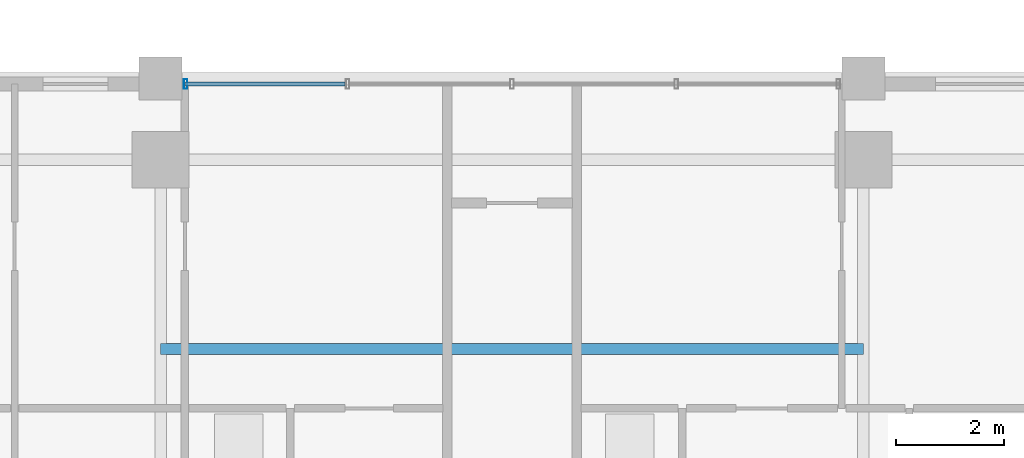
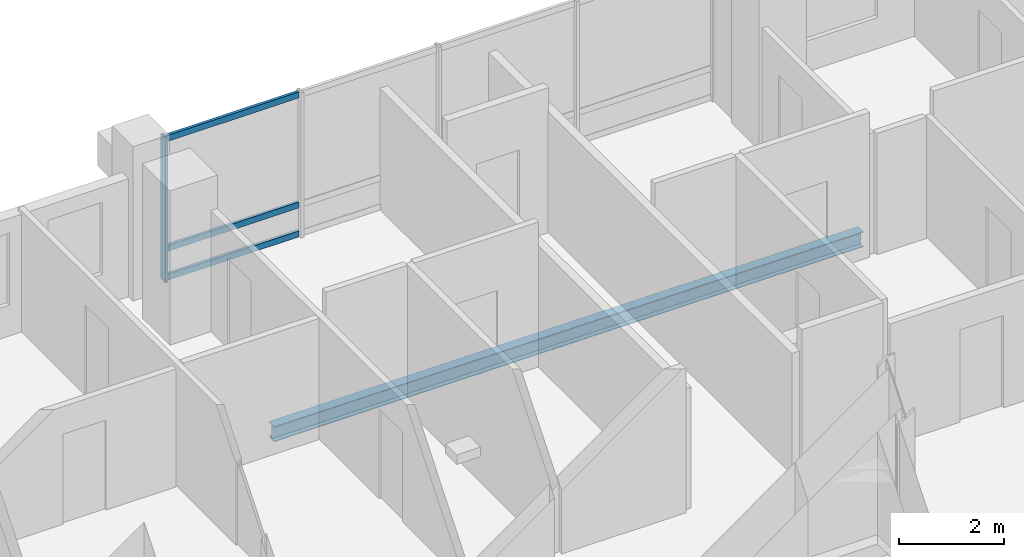
# One storey, part 13 of 24: 4 members, 1 beam, 1 element without a shape of its own.
"""IFC4 building model written with IfcOpenShell, lengths in metres."""

from ifc_helpers import new_model, si_unit, direction, frame, origin, origin_2d, place, context, subcontext, project, spatial, hollow_rectangle, i_section, extrude, material, layer, layer_set, material_profile, profile_set, type_object, element, aggregate, save


model = new_model("IFC4")

# Units and contexts
model_context = context("Model", 3, precision=1e-05, world=origin(), true_north=direction((0.0, 1.0)))
body_context = subcontext(model_context, "Body", "Model", "MODEL_VIEW")
ifc_project = project(units=[si_unit("LENGTHUNIT", "METRE"), si_unit("AREAUNIT", "SQUARE_METRE"), si_unit("VOLUMEUNIT", "CUBIC_METRE"), si_unit("PLANEANGLEUNIT", "RADIAN"), si_unit("MASSUNIT", "GRAM", prefix="KILO")], contexts=[model_context])

# Site, building, storey
site_placement = place(None, origin())
site = spatial("IfcSite", under=ifc_project, at=site_placement, CompositionType="ELEMENT")
building_placement = place(site_placement, origin())
building = spatial("IfcBuilding", under=site, at=building_placement, Name="Barlavira Tower and Art Museum", CompositionType="ELEMENT")
storey_placement = place(building_placement, frame((0.0, 0.0, 201.60009765625)))
storey = spatial("IfcBuildingStorey", under=building, at=storey_placement, Name="L52", CompositionType="ELEMENT", Elevation=201.60009765625)

# Curtain wall, members
ifc_material_1 = material(Name="Low-iron coastal laminated glass", Category="glass")
ifc_layer = layer(ifc_material_1, 0.199951171875, Name="Low-iron coastal laminated glass")
ifc_layer_set = layer_set([ifc_layer], Name="Low-iron coastal laminated glass")
curtain_wall_type = type_object("IfcCurtainWallType", Name="Pale-Metal Unitised Curtain Wall Zone 3", PredefinedType="NOTDEFINED", material=ifc_layer_set)
curtain_wall_placement = place(storey_placement, origin())
curtain_wall = element("IfcCurtainWall", 1, at=curtain_wall_placement, inside=storey, type_object=curtain_wall_type, Name="L52 Curtain Wall CW3-L52-N-B3", PredefinedType="NOTDEFINED")
ifc_material_2 = material(Name="Pale anodised aluminium", Category="aluminium")
ifc_material_profile_1 = material_profile(ifc_material_2, hollow_rectangle(XDim=0.06494140625, YDim=0.179931640625, WallThickness=0.00390625, at=origin_2d()), Name="ALU-MULL 65x180x4")
ifc_profile_set_1 = profile_set([ifc_material_profile_1], Name="Pale anodised aluminium")
member_type_1 = type_object("IfcMemberType", Name="Curtain Wall Pale-Metal Mullion 65x180", PredefinedType="MULLION", material=ifc_profile_set_1)
member_1_placement = place(storey_placement, frame((-6.034912109375, 21.39990234375, 0.0), z_axis=(0.0, 0.0, 1.0), x_axis=(-1.0, 0.0, 0.0)))
member_1 = element("IfcMember", 2, at=member_1_placement, type_object=member_type_1, Name="CW3-L52-N-B3 Mullion 4", PredefinedType="MULLION", context=body_context, shape_type="SweptSolid", body=[
    extrude(hollow_rectangle(XDim=0.06494140625, YDim=0.179931640625, WallThickness=0.00390625, at=origin_2d()), origin(), (0.0, 0.0, 1.0), 3.3798828125),
])
ifc_material_profile_2 = material_profile(ifc_material_2, hollow_rectangle(XDim=0.06494140625, YDim=0.139892578125, WallThickness=0.00390625, at=origin_2d()), Name="ALU-TRAN 65x140x4")
ifc_profile_set_2 = profile_set([ifc_material_profile_2], Name="Pale anodised aluminium")
member_type_2 = type_object("IfcMemberType", Name="Curtain Wall Pale-Metal Transom 65x140", PredefinedType="USERDEFINED", material=ifc_profile_set_2)
member_2_placement = place(storey_placement, frame((-3.0849609375, 21.39990234375, 0.06982421875), z_axis=(-1.0, 0.0, 0.0), x_axis=(0.0, -1.0, 0.0)))
member_2 = element("IfcMember", 3, at=member_2_placement, type_object=member_type_2, Name="CW3-L52-N-B3 Transom 3.1", ObjectType="TRANSOM", PredefinedType="USERDEFINED", context=body_context, shape_type="SweptSolid", body=[
    extrude(hollow_rectangle(XDim=0.06494140625, YDim=0.139892578125, WallThickness=0.00390625, at=origin_2d()), origin(), (0.0, 0.0, 1.0), 2.949951171875),
])
member_3_placement = place(storey_placement, frame((-3.0849609375, 21.39990234375, 0.743896484375), z_axis=(-1.0, 0.0, 0.0), x_axis=(0.0, -1.0, 0.0)))
member_3 = element("IfcMember", 4, at=member_3_placement, type_object=member_type_2, Name="CW3-L52-N-B3 Transom 3.2", ObjectType="TRANSOM", PredefinedType="USERDEFINED", context=body_context, shape_type="SweptSolid", body=[
    extrude(hollow_rectangle(XDim=0.06494140625, YDim=0.139892578125, WallThickness=0.00390625, at=origin_2d()), origin(), (0.0, 0.0, 1.0), 2.949951171875),
])
member_4_placement = place(storey_placement, frame((-3.0849609375, 21.39990234375, 3.309814453125), z_axis=(-1.0, 0.0, 0.0), x_axis=(0.0, -1.0, 0.0)))
member_4 = element("IfcMember", 5, at=member_4_placement, type_object=member_type_2, Name="CW3-L52-N-B3 Transom 3.3", ObjectType="TRANSOM", PredefinedType="USERDEFINED", context=body_context, shape_type="SweptSolid", body=[
    extrude(hollow_rectangle(XDim=0.06494140625, YDim=0.139892578125, WallThickness=0.00390625, at=origin_2d()), origin(), (0.0, 0.0, 1.0), 2.949951171875),
])
aggregate(curtain_wall, [member_1, member_2, member_3, member_4])

# Beam
ifc_material_3 = material(Name="Steel S355", Category="steel")
ifc_material_profile_3 = material_profile(ifc_material_3, i_section(OverallWidth=0.205078125, OverallDepth=0.35400390625, WebThickness=0.009521484375, FlangeThickness=0.016845703125, at=origin_2d()), Name="W360x79.0")
ifc_profile_set_3 = profile_set([ifc_material_profile_3], Name="Steel S355")
beam_type = type_object("IfcBeamType", Name="Zone 3 Composite Floor Joist W360x79 Steel S355", PredefinedType="JOIST", material=ifc_profile_set_3)
beam_placement = place(storey_placement, frame((-6.5, 16.5, -0.397216796875), z_axis=(1.0, 0.0, 0.0), x_axis=(0.0, 1.0, 0.0)))
element("IfcBeam", 6, at=beam_placement, inside=storey, type_object=beam_type, Name="L52 Joist C2", PredefinedType="JOIST", context=body_context, shape_type="SweptSolid", body=[
    extrude(i_section(OverallWidth=0.205078125, OverallDepth=0.35400390625, WebThickness=0.009521484375, FlangeThickness=0.016845703125, at=origin_2d()), origin(), (0.0, 0.0, 1.0), 13.0),
])

save(model, "model.ifc")
